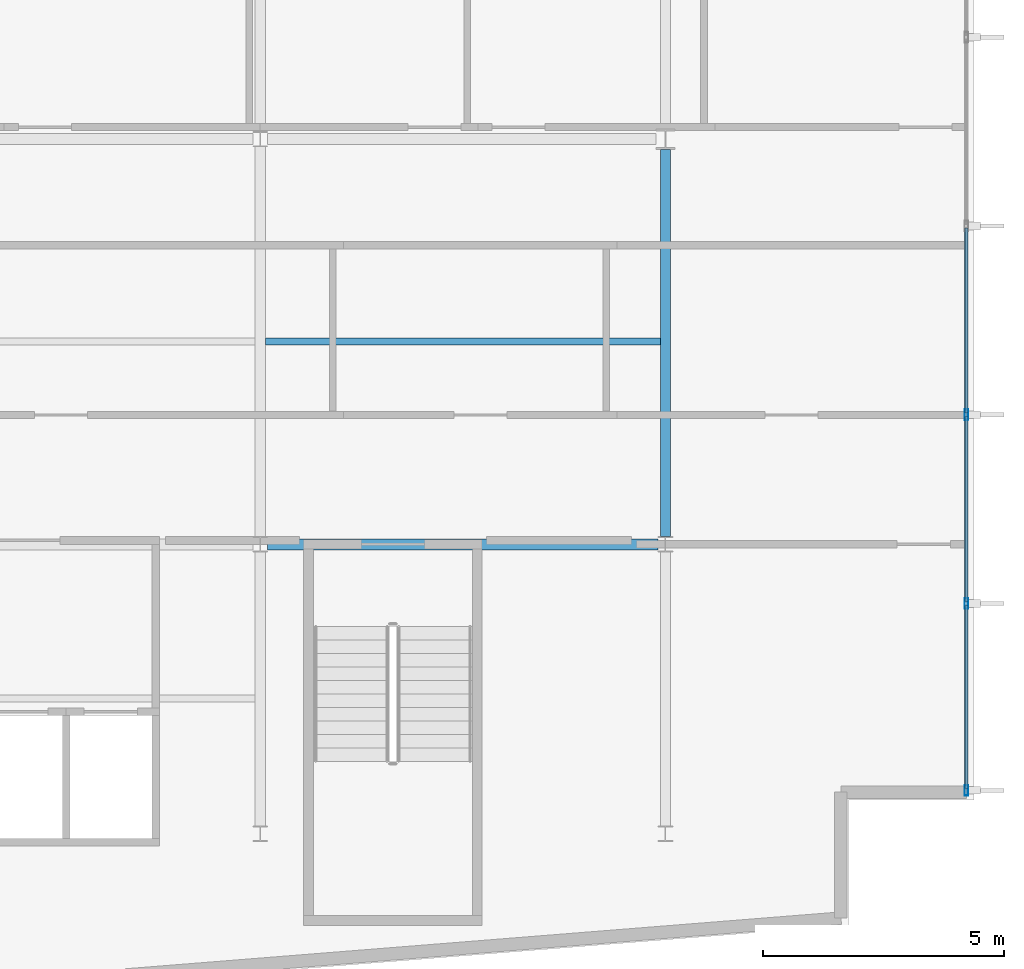
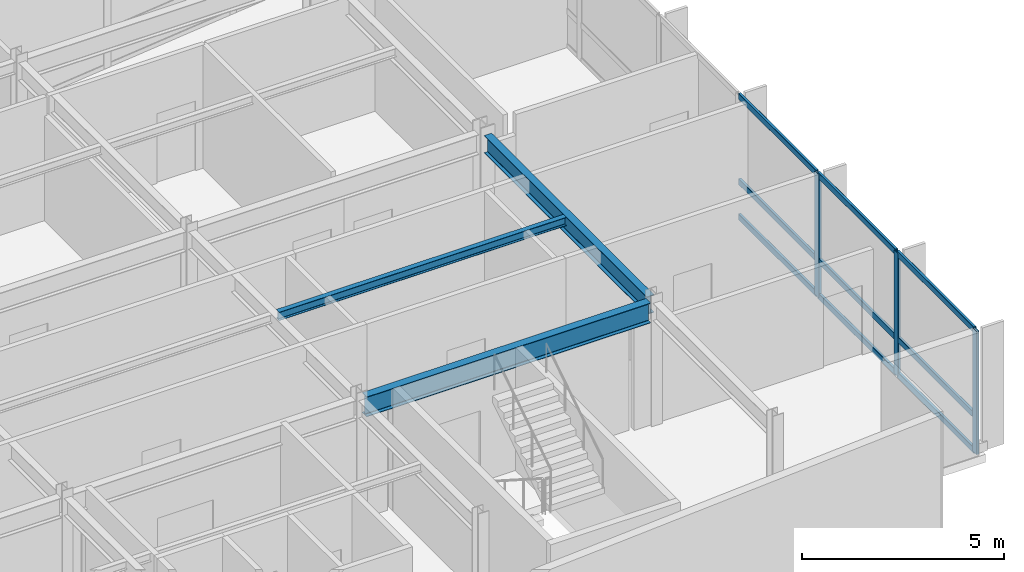
# One storey, part 5 of 18: 12 members, 3 beams, 1 element without a shape of its own.
"""IFC4 building model written with IfcOpenShell, lengths in metres."""

from ifc_helpers import new_model, si_unit, direction, frame, origin, origin_2d, place, context, subcontext, project, spatial, hollow_rectangle, i_section, extrude, material, layer, layer_set, material_profile, profile_set, type_object, element, aggregate, save


model = new_model("IFC4")

# Units and contexts
model_context = context("Model", 3, precision=1e-05, world=origin(), true_north=direction((0.0, 1.0)))
body_context = subcontext(model_context, "Body", "Model", "MODEL_VIEW")
ifc_project = project(units=[si_unit("LENGTHUNIT", "METRE"), si_unit("AREAUNIT", "SQUARE_METRE"), si_unit("VOLUMEUNIT", "CUBIC_METRE"), si_unit("PLANEANGLEUNIT", "RADIAN"), si_unit("MASSUNIT", "GRAM", prefix="KILO")], contexts=[model_context])

# Site, building, storey
site_placement = place(None, origin())
site = spatial("IfcSite", under=ifc_project, at=site_placement, CompositionType="ELEMENT")
building_placement = place(site_placement, origin())
building = spatial("IfcBuilding", under=site, at=building_placement, Name="Varnakote Quay Hospital", CompositionType="ELEMENT")
storey_placement = place(building_placement, frame((0.0, 0.0, 158.64990234375)))
storey = spatial("IfcBuildingStorey", under=building, at=storey_placement, Name="L39", CompositionType="ELEMENT", Elevation=158.64990234375)

# Beams
ifc_material_1 = material(Name="Structural steel AS/NZS 3679.1 Grade 350 L0 (fy 340 MPa)", Category="steel")
ifc_material_profile_1 = material_profile(ifc_material_1, i_section(OverallWidth=0.208984375, OverallDepth=0.532958984375, WebThickness=0.01025390625, FlangeThickness=0.015625, FilletRadius=0.013916015625, at=origin_2d()), Name="530UB92.4")
ifc_profile_set_1 = profile_set([ifc_material_profile_1], Name="Structural steel AS/NZS 3679.1 Grade 350 L0 (fy 340 MPa)")
beam_type_1 = type_object("IfcBeamType", Name="BM-STL-530UB92-4", PredefinedType="BEAM", material=ifc_profile_set_1)
beam_1_placement = place(storey_placement, frame((50.39990234375, 12.157470703125, 3.443603515625), z_axis=(0.0, 1.0, 0.0), x_axis=(-1.0, 0.0, 0.0)))
element("IfcBeam", 1, at=beam_1_placement, inside=storey, type_object=beam_type_1, Name="L39 Primary Tie Beam", PredefinedType="BEAM", context=body_context, shape_type="SweptSolid", body=[
    extrude(i_section(OverallWidth=0.208984375, OverallDepth=0.532958984375, WebThickness=0.01025390625, FlangeThickness=0.015625, FilletRadius=0.013916015625, at=origin_2d()), origin(), (0.0, 0.0, 1.0), 8.032470703125),
])
ifc_material_2 = material(Name="Structural steel AS/NZS 3679.1 Grade 350 L0 (fy 340 MPa)", Category="steel")
ifc_material_profile_2 = material_profile(ifc_material_2, i_section(OverallWidth=0.22802734375, OverallDepth=0.60205078125, WebThickness=0.010498046875, FlangeThickness=0.014892578125, FilletRadius=0.013916015625, at=origin_2d()), Name="610UB101")
ifc_profile_set_2 = profile_set([ifc_material_profile_2], Name="Structural steel AS/NZS 3679.1 Grade 350 L0 (fy 340 MPa)")
beam_type_2 = type_object("IfcBeamType", Name="BM-STL-610UB101", PredefinedType="BEAM", material=ifc_profile_set_2)
beam_2_placement = place(storey_placement, frame((42.153564453125, 12.0, 3.4091796875), z_axis=(1.0, 0.0, 0.0), x_axis=(0.0, 1.0, 0.0)))
element("IfcBeam", 2, at=beam_2_placement, inside=storey, type_object=beam_type_2, Name="L39 Primary Floor Beam", PredefinedType="BEAM", context=body_context, shape_type="SweptSolid", body=[
    extrude(i_section(OverallWidth=0.22802734375, OverallDepth=0.60205078125, WebThickness=0.010498046875, FlangeThickness=0.014892578125, FilletRadius=0.013916015625, at=origin_2d()), origin(), (0.0, 0.0, 1.0), 8.093017578125),
])

# Curtain wall, members
ifc_material_3 = material(Name="Anodised aluminium 6063-T6 Bronze", Category="aluminium")
ifc_layer = layer(ifc_material_3, 0.205078125)
ifc_layer_set = layer_set([ifc_layer], Name="Anodised aluminium 6063-T6 Bronze")
curtain_wall_type = type_object("IfcCurtainWallType", Name="CW-SYS-3", PredefinedType="NOTDEFINED", material=ifc_layer_set)
curtain_wall_placement = place(storey_placement, origin())
curtain_wall = element("IfcCurtainWall", 3, at=curtain_wall_placement, inside=storey, type_object=curtain_wall_type, Name="L39 Unitised Bronze Curtain Wall 1", PredefinedType="NOTDEFINED")
ifc_material_4 = material(Name="Anodised aluminium 6063-T6 Bronze", Category="aluminium")
ifc_material_profile_3 = material_profile(ifc_material_4, hollow_rectangle(XDim=0.074951171875, YDim=0.219970703125, WallThickness=0.00439453125, InnerFilletRadius=0.00439453125, OuterFilletRadius=0.009033203125, at=origin_2d()), Name="CW-MULL-220x75")
ifc_profile_set_3 = profile_set([ifc_material_profile_3], Name="Anodised aluminium 6063-T6 Bronze")
member_type_1 = type_object("IfcMemberType", Name="CW-MULL-220x75", PredefinedType="MULLION", material=ifc_profile_set_3)
member_1_placement = place(storey_placement, frame((56.639892578125, 6.8974609375, 0.0), z_axis=(0.0, 0.0, 1.0), x_axis=(-1.0, 0.0, 0.0)))
member_1 = element("IfcMember", 4, at=member_1_placement, type_object=member_type_1, Name="-3-L39-1 mullion 1", PredefinedType="MULLION", context=body_context, shape_type="SweptSolid", body=[
    extrude(hollow_rectangle(XDim=0.074951171875, YDim=0.219970703125, WallThickness=0.00439453125, InnerFilletRadius=0.00439453125, OuterFilletRadius=0.009033203125, at=origin_2d()), origin(), (0.0, 0.0, 1.0), 3.710205078125),
])
member_2_placement = place(storey_placement, frame((56.639892578125, 10.7734375, 0.0), z_axis=(0.0, 0.0, 1.0), x_axis=(-1.0, 0.0, 0.0)))
member_2 = element("IfcMember", 5, at=member_2_placement, type_object=member_type_1, Name="-3-L39-1 mullion 2", PredefinedType="MULLION", context=body_context, shape_type="SweptSolid", body=[
    extrude(hollow_rectangle(XDim=0.074951171875, YDim=0.219970703125, WallThickness=0.00439453125, InnerFilletRadius=0.00439453125, OuterFilletRadius=0.009033203125, at=origin_2d()), origin(), (0.0, 0.0, 1.0), 3.710205078125),
])
member_3_placement = place(storey_placement, frame((56.639892578125, 14.686767578125, 0.0), z_axis=(0.0, 0.0, 1.0), x_axis=(-1.0, 0.0, 0.0)))
member_3 = element("IfcMember", 6, at=member_3_placement, type_object=member_type_1, Name="-3-L39-1 mullion 3", PredefinedType="MULLION", context=body_context, shape_type="SweptSolid", body=[
    extrude(hollow_rectangle(XDim=0.074951171875, YDim=0.219970703125, WallThickness=0.00439453125, InnerFilletRadius=0.00439453125, OuterFilletRadius=0.009033203125, at=origin_2d()), origin(), (0.0, 0.0, 1.0), 3.710205078125),
])
ifc_material_5 = material(Name="Anodised aluminium 6063-T6 Bronze", Category="aluminium")
ifc_material_profile_4 = material_profile(ifc_material_5, hollow_rectangle(XDim=0.074951171875, YDim=0.179931640625, WallThickness=0.004150390625, InnerFilletRadius=0.004150390625, OuterFilletRadius=0.00830078125, at=origin_2d()), Name="CW-TRAN-180x75")
ifc_profile_set_4 = profile_set([ifc_material_profile_4], Name="Anodised aluminium 6063-T6 Bronze")
member_type_2 = type_object("IfcMemberType", Name="CW-TRAN-180x75", PredefinedType="USERDEFINED", material=ifc_profile_set_4)
member_4_placement = place(storey_placement, frame((56.639892578125, 6.93505859375, 0.03759765625), z_axis=(0.0, 1.0, 0.0), x_axis=(-1.0, 0.0, 0.0)))
member_4 = element("IfcMember", 7, at=member_4_placement, type_object=member_type_2, Name="-3-L39-1 transom 1.1", ObjectType="TRANSOM", PredefinedType="USERDEFINED", context=body_context, shape_type="SweptSolid", body=[
    extrude(hollow_rectangle(XDim=0.074951171875, YDim=0.179931640625, WallThickness=0.004150390625, InnerFilletRadius=0.004150390625, OuterFilletRadius=0.00830078125, at=origin_2d()), origin(), (0.0, 0.0, 1.0), 3.80078125),
])
member_5_placement = place(storey_placement, frame((56.639892578125, 6.93505859375, 1.10009765625), z_axis=(0.0, 1.0, 0.0), x_axis=(-1.0, 0.0, 0.0)))
member_5 = element("IfcMember", 8, at=member_5_placement, type_object=member_type_2, Name="-3-L39-1 transom 1.2", ObjectType="TRANSOM", PredefinedType="USERDEFINED", context=body_context, shape_type="SweptSolid", body=[
    extrude(hollow_rectangle(XDim=0.074951171875, YDim=0.179931640625, WallThickness=0.004150390625, InnerFilletRadius=0.004150390625, OuterFilletRadius=0.00830078125, at=origin_2d()), origin(), (0.0, 0.0, 1.0), 3.80078125),
])
member_6_placement = place(storey_placement, frame((56.639892578125, 6.93505859375, 3.672607421875), z_axis=(0.0, 1.0, 0.0), x_axis=(-1.0, 0.0, 0.0)))
member_6 = element("IfcMember", 9, at=member_6_placement, type_object=member_type_2, Name="-3-L39-1 transom 1.3", ObjectType="TRANSOM", PredefinedType="USERDEFINED", context=body_context, shape_type="SweptSolid", body=[
    extrude(hollow_rectangle(XDim=0.074951171875, YDim=0.179931640625, WallThickness=0.004150390625, InnerFilletRadius=0.004150390625, OuterFilletRadius=0.00830078125, at=origin_2d()), origin(), (0.0, 0.0, 1.0), 3.80078125),
])
member_7_placement = place(storey_placement, frame((56.639892578125, 10.810791015625, 0.03759765625), z_axis=(0.0, 1.0, 0.0), x_axis=(-1.0, 0.0, 0.0)))
member_7 = element("IfcMember", 10, at=member_7_placement, type_object=member_type_2, Name="-3-L39-1 transom 2.1", ObjectType="TRANSOM", PredefinedType="USERDEFINED", context=body_context, shape_type="SweptSolid", body=[
    extrude(hollow_rectangle(XDim=0.074951171875, YDim=0.179931640625, WallThickness=0.004150390625, InnerFilletRadius=0.004150390625, OuterFilletRadius=0.00830078125, at=origin_2d()), origin(), (0.0, 0.0, 1.0), 3.83837890625),
])
member_8_placement = place(storey_placement, frame((56.639892578125, 10.810791015625, 1.10009765625), z_axis=(0.0, 1.0, 0.0), x_axis=(-1.0, 0.0, 0.0)))
member_8 = element("IfcMember", 11, at=member_8_placement, type_object=member_type_2, Name="-3-L39-1 transom 2.2", ObjectType="TRANSOM", PredefinedType="USERDEFINED", context=body_context, shape_type="SweptSolid", body=[
    extrude(hollow_rectangle(XDim=0.074951171875, YDim=0.179931640625, WallThickness=0.004150390625, InnerFilletRadius=0.004150390625, OuterFilletRadius=0.00830078125, at=origin_2d()), origin(), (0.0, 0.0, 1.0), 3.83837890625),
])
member_9_placement = place(storey_placement, frame((56.639892578125, 10.810791015625, 3.672607421875), z_axis=(0.0, 1.0, 0.0), x_axis=(-1.0, 0.0, 0.0)))
member_9 = element("IfcMember", 12, at=member_9_placement, type_object=member_type_2, Name="-3-L39-1 transom 2.3", ObjectType="TRANSOM", PredefinedType="USERDEFINED", context=body_context, shape_type="SweptSolid", body=[
    extrude(hollow_rectangle(XDim=0.074951171875, YDim=0.179931640625, WallThickness=0.004150390625, InnerFilletRadius=0.004150390625, OuterFilletRadius=0.00830078125, at=origin_2d()), origin(), (0.0, 0.0, 1.0), 3.83837890625),
])
member_10_placement = place(storey_placement, frame((56.639892578125, 14.72412109375, 0.03759765625), z_axis=(0.0, 1.0, 0.0), x_axis=(-1.0, 0.0, 0.0)))
member_10 = element("IfcMember", 13, at=member_10_placement, type_object=member_type_2, Name="-3-L39-1 transom 3.1", ObjectType="TRANSOM", PredefinedType="USERDEFINED", context=body_context, shape_type="SweptSolid", body=[
    extrude(hollow_rectangle(XDim=0.074951171875, YDim=0.179931640625, WallThickness=0.004150390625, InnerFilletRadius=0.004150390625, OuterFilletRadius=0.00830078125, at=origin_2d()), origin(), (0.0, 0.0, 1.0), 3.83837890625),
])
member_11_placement = place(storey_placement, frame((56.639892578125, 14.72412109375, 1.10009765625), z_axis=(0.0, 1.0, 0.0), x_axis=(-1.0, 0.0, 0.0)))
member_11 = element("IfcMember", 14, at=member_11_placement, type_object=member_type_2, Name="-3-L39-1 transom 3.2", ObjectType="TRANSOM", PredefinedType="USERDEFINED", context=body_context, shape_type="SweptSolid", body=[
    extrude(hollow_rectangle(XDim=0.074951171875, YDim=0.179931640625, WallThickness=0.004150390625, InnerFilletRadius=0.004150390625, OuterFilletRadius=0.00830078125, at=origin_2d()), origin(), (0.0, 0.0, 1.0), 3.83837890625),
])
member_12_placement = place(storey_placement, frame((56.639892578125, 14.72412109375, 3.672607421875), z_axis=(0.0, 1.0, 0.0), x_axis=(-1.0, 0.0, 0.0)))
member_12 = element("IfcMember", 15, at=member_12_placement, type_object=member_type_2, Name="-3-L39-1 transom 3.3", ObjectType="TRANSOM", PredefinedType="USERDEFINED", context=body_context, shape_type="SweptSolid", body=[
    extrude(hollow_rectangle(XDim=0.074951171875, YDim=0.179931640625, WallThickness=0.004150390625, InnerFilletRadius=0.004150390625, OuterFilletRadius=0.00830078125, at=origin_2d()), origin(), (0.0, 0.0, 1.0), 3.83837890625),
])
aggregate(curtain_wall, [member_1, member_2, member_3, member_4, member_5, member_6, member_7, member_8, member_9, member_10, member_11, member_12])

# Beam
ifc_material_6 = material(Name="Structural steel AS/NZS 3679.1 Grade 350 L0 (fy 340 MPa)", Category="steel")
ifc_material_profile_5 = material_profile(ifc_material_6, i_section(OverallWidth=0.14599609375, OverallDepth=0.256103515625, WebThickness=0.00634765625, FlangeThickness=0.010986328125, FilletRadius=0.0087890625, at=origin_2d()), Name="250UB37.3")
ifc_profile_set_5 = profile_set([ifc_material_profile_5], Name="Structural steel AS/NZS 3679.1 Grade 350 L0 (fy 340 MPa)")
beam_type_3 = type_object("IfcBeamType", Name="JST-STL-250UB37-3", PredefinedType="JOIST", material=ifc_profile_set_5)
beam_3_placement = place(storey_placement, frame((42.1044921875, 16.199951171875, 3.58203125), z_axis=(1.0, 0.0, 0.0), x_axis=(0.0, 1.0, 0.0)))
element("IfcBeam", 16, at=beam_3_placement, inside=storey, type_object=beam_type_3, Name="L39 Composite Floor Joist", PredefinedType="JOIST", context=body_context, shape_type="SweptSolid", body=[
    extrude(i_section(OverallWidth=0.14599609375, OverallDepth=0.256103515625, WebThickness=0.00634765625, FlangeThickness=0.010986328125, FilletRadius=0.0087890625, at=origin_2d()), origin(), (0.0, 0.0, 1.0), 8.19091796875),
])

save(model, "model.ifc")
